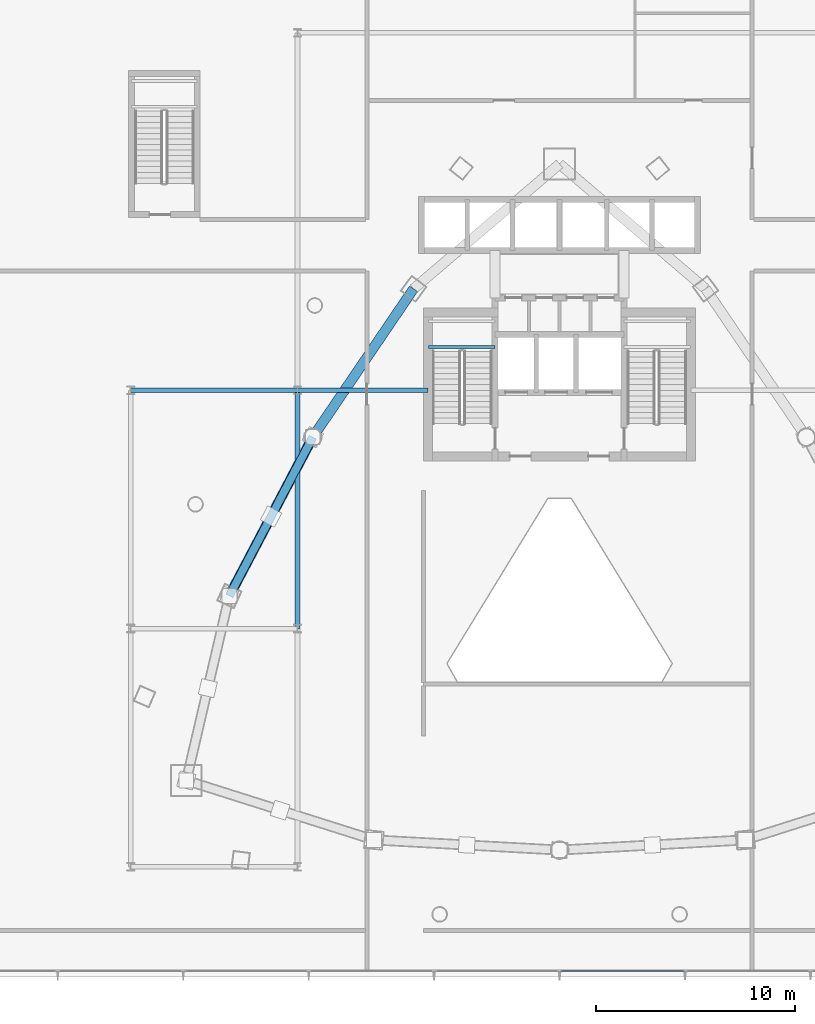
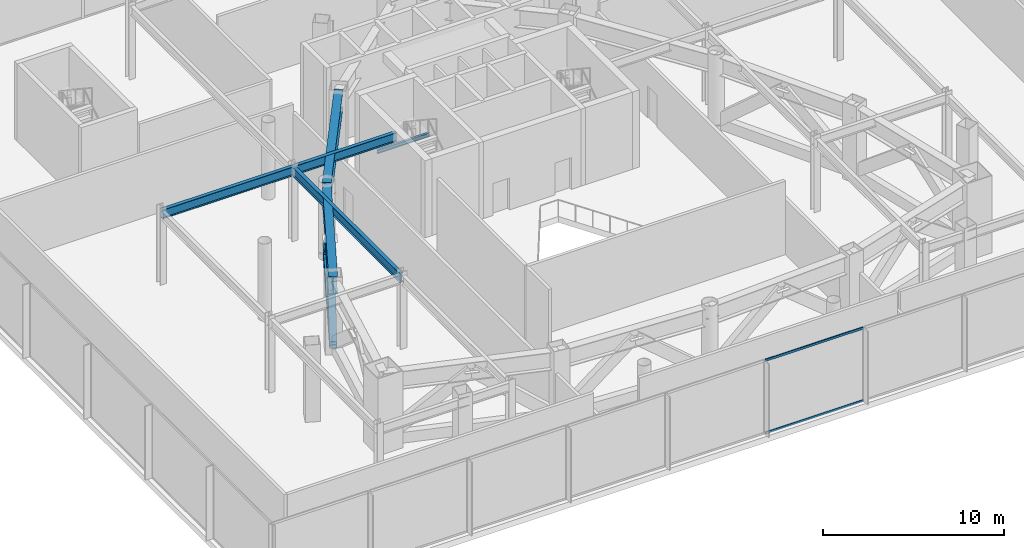
# One storey, part 11 of 43: 6 beams, 5 members, 1 element without a shape of its own.
"""IFC4 building model written with IfcOpenShell, lengths in metres."""

import ifcopenshell
import ifcopenshell.guid

model = None  # the IFC model being written
_history = None  # IfcOwnerHistory: only IFC2X3 demands one
_inside = {}  # id of a spatial element -> (the spatial element, [elements in it])
_under = {}  # id of a project, library or spatial element -> (it, [spatial elements below it])
_declared = {}  # id of a project -> (the project, [libraries it declares])
_typed = {}  # id of a type object -> (the type object, [elements of that type])
_made_of = {}  # id of a material, layer set ... -> (it, [elements and type objects made of it])


def new_model(schema):
    """Start an empty IFC model of exactly this schema.

    Asked for "IFC4X3", IfcOpenShell would pick the latest addendum, in which some entities
    have other attributes; the version numbers below select the first issue.
    IFC2X3 requires an IfcOwnerHistory on every rooted entity: one is made here for all.
    """
    global model, _history
    if schema == "IFC4X3":
        model = ifcopenshell.file(schema_version=(4, 3, 0, 0))
    else:
        model = ifcopenshell.file(schema=schema)
    _inside.clear()
    _under.clear()
    _declared.clear()
    _typed.clear()
    _made_of.clear()
    _history = None
    if model.schema == "IFC2X3":
        org = make("IfcOrganization", Name="unknown")
        user = make(
            "IfcPersonAndOrganization",
            ThePerson=make("IfcPerson", FamilyName="unknown"),
            TheOrganization=org,
        )
        app = make(
            "IfcApplication",
            ApplicationDeveloper=org,
            Version="unknown",
            ApplicationFullName="unknown",
            ApplicationIdentifier="unknown",
        )
        _history = make(
            "IfcOwnerHistory",
            OwningUser=user,
            OwningApplication=app,
            ChangeAction="ADDED",
            CreationDate=0,
        )
    return model


def make(cls, **values):
    """One entity of the class cls with the attributes given. An attribute that is None is left unset."""
    return model.create_entity(
        cls, **{name: value for name, value in values.items() if value is not None}
    )


def rooted(cls, **values):
    """An entity with a GlobalId (a new one), such as an element, a storey or a relation."""
    return make(cls, GlobalId=ifcopenshell.guid.new(), OwnerHistory=_history, **values)


def si_unit(unit_type, name, prefix=None):
    """IfcSIUnit, for example si_unit("LENGTHUNIT", "METRE", prefix="MILLI")."""
    return make("IfcSIUnit", UnitType=unit_type, Prefix=prefix, Name=name)


def assignment(units):
    """IfcUnitAssignment: the units of a project."""
    return None if units is None else make("IfcUnitAssignment", Units=units)


def point(xyz):
    """IfcCartesianPoint."""
    return None if xyz is None else make("IfcCartesianPoint", Coordinates=xyz)


def direction(xyz):
    """IfcDirection."""
    return None if xyz is None else make("IfcDirection", DirectionRatios=xyz)


def frame(location, z_axis=None, x_axis=None):
    """IfcAxis2Placement3D, a coordinate frame: its origin and axes. An axis left out is left unset."""
    return make(
        "IfcAxis2Placement3D",
        Location=point(location),
        Axis=direction(z_axis),
        RefDirection=direction(x_axis),
    )


def frame_2d(location, x_axis=None):
    """IfcAxis2Placement2D, a coordinate frame in the plane: its origin and x axis."""
    return make(
        "IfcAxis2Placement2D", Location=point(location), RefDirection=direction(x_axis)
    )


def origin():
    """The frame at (0, 0, 0) with its axes left unset."""
    return frame((0.0, 0.0, 0.0))


def origin_2d():
    """The frame at (0, 0) in the plane with its x axis left unset."""
    return frame_2d((0.0, 0.0))


def place(relative_to, where):
    """IfcLocalPlacement: puts the frame where relative to a parent placement (None: the world)."""
    return make(
        "IfcLocalPlacement", PlacementRelTo=relative_to, RelativePlacement=where
    )


def context(
    kind, dimensions, precision=None, world=None, true_north=None, identifier=None
):
    """IfcGeometricRepresentationContext, for example the 3D "Model" context."""
    return make(
        "IfcGeometricRepresentationContext",
        ContextIdentifier=identifier,
        ContextType=kind,
        CoordinateSpaceDimension=dimensions,
        Precision=precision,
        WorldCoordinateSystem=world,
        TrueNorth=true_north,
    )


def subcontext(parent, identifier, kind, view, scale=None):
    """IfcGeometricRepresentationSubContext, for example "Body" below "Model"."""
    return make(
        "IfcGeometricRepresentationSubContext",
        ContextIdentifier=identifier,
        ContextType=kind,
        ParentContext=parent,
        TargetScale=scale,
        TargetView=view,
    )


def project(units=None, contexts=None):
    """IfcProject with its units and contexts."""
    return rooted(
        "IfcProject",
        Name="project",
        RepresentationContexts=contexts,
        UnitsInContext=assignment(units),
    )


def spatial(cls, under=None, at=None, **own):
    """A site, building, storey or space (cls), placed at a placement, below another one or the project."""
    s = rooted(cls, ObjectPlacement=at, **own)
    if under is not None:
        _under.setdefault(under.id(), (under, []))[1].append(s)
    return s


def profile(cls, at=None, kind="AREA", **sizes):
    """A parametric profile (cls). Its sizes go by their IFC names, for example OverallWidth=200.0."""
    return make(cls, ProfileType=kind, Position=at, **sizes)


def hollow_rectangle(**sizes):
    """IfcRectangleHollowProfileDef."""
    return profile("IfcRectangleHollowProfileDef", **sizes)


def i_section(**sizes):
    """IfcIShapeProfileDef."""
    return profile("IfcIShapeProfileDef", **sizes)


def extrude(swept, where, along, depth):
    """IfcExtrudedAreaSolid: the profile swept, set in the frame where, extruded along a direction by depth."""
    return make(
        "IfcExtrudedAreaSolid",
        SweptArea=swept,
        Position=where,
        ExtrudedDirection=direction(along),
        Depth=depth,
    )


def shape(context_of_items, identifier, shape_type, items):
    """IfcShapeRepresentation: the items that make up one representation, for example the "Body"."""
    return make(
        "IfcShapeRepresentation",
        ContextOfItems=context_of_items,
        RepresentationIdentifier=identifier,
        RepresentationType=shape_type,
        Items=items,
    )


def material(Name=None, Category=None):
    """IfcMaterial."""
    return make("IfcMaterial", Name=Name, Category=Category)


def layer(
    of_material, thickness, ventilated=None, Name=None, Category=None, Priority=None
):
    """IfcMaterialLayer: one layer of a wall or slab, of a material (None: an air gap)."""
    return make(
        "IfcMaterialLayer",
        Material=of_material,
        LayerThickness=thickness,
        IsVentilated=ventilated,
        Name=Name,
        Category=Category,
        Priority=Priority,
    )


def layer_set(layers, Name=None):
    """IfcMaterialLayerSet."""
    return make("IfcMaterialLayerSet", MaterialLayers=layers, LayerSetName=Name)


def material_profile(
    of_material, cross_section, Name=None, Category=None, Priority=None
):
    """IfcMaterialProfile: a cross section and its material."""
    return make(
        "IfcMaterialProfile",
        Name=Name,
        Material=of_material,
        Profile=cross_section,
        Priority=Priority,
        Category=Category,
    )


def profile_set(profiles, Name=None, composite=None):
    """IfcMaterialProfileSet."""
    return make(
        "IfcMaterialProfileSet",
        Name=Name,
        MaterialProfiles=profiles,
        CompositeProfile=composite,
    )


def made_of(thing, what):
    """Note that an element or type object is made of a material, layer set ...; save() writes the relation."""
    if what is not None:
        _made_of.setdefault(what.id(), (what, []))[1].append(thing)
    return thing


def type_object(cls, material=None, **own):
    """A type object (cls), such as IfcWallType, which elements share."""
    return made_of(rooted(cls, **own), material)


def element(
    cls,
    number,
    at=None,
    inside=None,
    cuts=None,
    type_object=None,
    material=None,
    context=None,
    identifier="Body",
    shape_type=None,
    held_by="IfcProductDefinitionShape",
    body=None,
    shapes=None,
    **own,
):
    """One element of the class cls, such as IfcWall. Its Tag is "e" and its number.

    at: its placement. inside: the storey or other place that contains it. cuts: it is an
    opening in that element (IfcRelVoidsElement). A single representation is given by context,
    identifier, shape_type and body (its items); several are given by shapes. held_by: the class
    of the entity that holds the representations. save() writes the other relations.
    """
    e = rooted(cls, Tag="e%d" % number, ObjectPlacement=at, **own)
    if body is not None:
        shapes = [shape(context, identifier, shape_type, body)]
    if shapes is not None:
        e.Representation = make(held_by, Representations=shapes)
    if inside is not None:
        _inside.setdefault(inside.id(), (inside, []))[1].append(e)
    if cuts is not None:
        rooted(
            "IfcRelVoidsElement", RelatingBuildingElement=cuts, RelatedOpeningElement=e
        )
    if type_object is not None:
        _typed.setdefault(type_object.id(), (type_object, []))[1].append(e)
    return made_of(e, material)


def aggregate(whole, parts):
    """IfcRelAggregates: a whole, such as a stair, and the parts it consists of."""
    return rooted("IfcRelAggregates", RelatingObject=whole, RelatedObjects=parts)


def save(model, path):
    """Write the relations noted so far, then the file.

    IfcRelAggregates (storeys below a building ...), IfcRelContainedInSpatialStructure (elements
    in a storey), IfcRelDefinesByType, IfcRelAssociatesMaterial and IfcRelDeclares: one each for
    every whole, place, type object, material and project.
    """
    for whole, parts in _under.values():
        aggregate(whole, parts)
    for where, things in _inside.values():
        rooted(
            "IfcRelContainedInSpatialStructure",
            RelatedElements=things,
            RelatingStructure=where,
        )
    for kind, things in _typed.values():
        rooted("IfcRelDefinesByType", RelatedObjects=things, RelatingType=kind)
    for what, things in _made_of.values():
        rooted("IfcRelAssociatesMaterial", RelatedObjects=things, RelatingMaterial=what)
    for by, libraries in _declared.values():
        rooted("IfcRelDeclares", RelatingContext=by, RelatedDefinitions=libraries)
    model.write(path)


model = new_model("IFC4")

# Units and contexts
model_context = context("Model", 3, precision=1e-05, world=origin(), true_north=direction((0.0, 1.0)))
body_context = subcontext(model_context, "Body", "Model", "MODEL_VIEW")
ifc_project = project(units=[si_unit("LENGTHUNIT", "METRE"), si_unit("AREAUNIT", "SQUARE_METRE"), si_unit("VOLUMEUNIT", "CUBIC_METRE"), si_unit("PLANEANGLEUNIT", "RADIAN"), si_unit("MASSUNIT", "GRAM", prefix="KILO")], contexts=[model_context])

# Site, building, storey
site_placement = place(None, origin())
site = spatial("IfcSite", under=ifc_project, at=site_placement, CompositionType="ELEMENT")
building_placement = place(site_placement, origin())
building = spatial("IfcBuilding", under=site, at=building_placement, Name="Orvanel Arch Residences", CompositionType="ELEMENT")
storey_placement = place(building_placement, frame((0.0, 0.0, 18.39990234375)))
storey = spatial("IfcBuildingStorey", under=building, at=storey_placement, Name="L04", CompositionType="ELEMENT", Elevation=18.39990234375)

# Beams
ifc_material_1 = material(Name="Structural steel AS/NZS 3679.1 Grade 300 (300 MPa)", Category="steel")
ifc_material_profile_1 = material_profile(ifc_material_1, i_section(OverallWidth=0.22900390625, OverallDepth=0.612060546875, WebThickness=0.011962890625, FlangeThickness=0.01953125, at=origin_2d()), Name="610UB125")
ifc_profile_set_1 = profile_set([ifc_material_profile_1], Name="Structural steel AS/NZS 3679.1 Grade 300 (300 MPa)")
beam_type_1 = type_object("IfcBeamType", Name="BG-610UB", PredefinedType="BEAM", material=ifc_profile_set_1)
beam_1_placement = place(storey_placement, frame((11.39990234375, 30.0, 4.654052734375), z_axis=(1.0, 0.0, 0.0), x_axis=(0.0, 1.0, 0.0)))
element("IfcBeam", 1, at=beam_1_placement, inside=storey, type_object=beam_type_1, Name="L04 BG-610UB beam", PredefinedType="BEAM", context=body_context, shape_type="SweptSolid", body=[
    extrude(i_section(OverallWidth=0.22900390625, OverallDepth=0.612060546875, WebThickness=0.011962890625, FlangeThickness=0.01953125, at=origin_2d()), origin(), (0.0, 0.0, 1.0), 8.400146484375),
])
beam_2_placement = place(storey_placement, frame((19.800048828125, 30.0, 4.654052734375), z_axis=(1.0, 0.0, 0.0), x_axis=(0.0, 1.0, 0.0)))
element("IfcBeam", 2, at=beam_2_placement, inside=storey, type_object=beam_type_1, Name="L04 BG-610UB beam", PredefinedType="BEAM", context=body_context, shape_type="SweptSolid", body=[
    extrude(i_section(OverallWidth=0.22900390625, OverallDepth=0.612060546875, WebThickness=0.011962890625, FlangeThickness=0.01953125, at=origin_2d()), origin(), (0.0, 0.0, 1.0), 6.574951171875),
])
beam_3_placement = place(storey_placement, frame((19.800048828125, 18.0, 4.654052734375), z_axis=(0.0, 1.0, 0.0), x_axis=(-1.0, 0.0, 0.0)))
element("IfcBeam", 3, at=beam_3_placement, inside=storey, type_object=beam_type_1, Name="L04 North-South Podium Girder XW20-M", PredefinedType="BEAM", context=body_context, shape_type="SweptSolid", body=[
    extrude(i_section(OverallWidth=0.22900390625, OverallDepth=0.612060546875, WebThickness=0.011962890625, FlangeThickness=0.01953125, at=origin_2d()), origin(), (0.0, 0.0, 1.0), 12.0),
])
ifc_material_profile_2 = material_profile(ifc_material_1, i_section(OverallWidth=0.14599609375, OverallDepth=0.251953125, WebThickness=0.006103515625, FlangeThickness=0.008544921875, at=origin_2d()), Name="250UB31.4")
ifc_profile_set_2 = profile_set([ifc_material_profile_2], Name="Structural steel AS/NZS 3679.1 Grade 300 (300 MPa)")
beam_type_2 = type_object("IfcBeamType", Name="BJ-250UB", PredefinedType="JOIST", material=ifc_profile_set_2)
beam_4_placement = place(storey_placement, frame((26.39990234375, 32.179931640625, 2.274169921875), z_axis=(1.0, 0.0, 0.0), x_axis=(0.0, 1.0, 0.0)))
element("IfcBeam", 4, at=beam_4_placement, inside=storey, type_object=beam_type_2, Name="L04 ST-1 Half-Landing Support Beam 1.1", PredefinedType="JOIST", context=body_context, shape_type="SweptSolid", body=[
    extrude(i_section(OverallWidth=0.14599609375, OverallDepth=0.251953125, WebThickness=0.006103515625, FlangeThickness=0.008544921875, at=origin_2d()), origin(), (0.0, 0.0, 1.0), 3.35009765625),
])

# Members
ifc_material_2 = material(Name="Structural steel AS/NZS 3678 Grade 350", Category="steel")
ifc_material_profile_3 = material_profile(ifc_material_2, hollow_rectangle(XDim=0.419921875, YDim=0.719970703125, WallThickness=0.02490234375, at=origin_2d()), Name="RHS720x420x25")
ifc_profile_set_3 = profile_set([ifc_material_profile_3], Name="Structural steel AS/NZS 3678 Grade 350")
member_type_1 = type_object("IfcMemberType", Name="BR-720RHS", PredefinedType="BRACE", material=ifc_profile_set_3)
member_1_placement = place(storey_placement, frame((20.569091796875, 27.64111328125, 0.4501953125), z_axis=(-0.351676290996, -0.669353665641, 0.654438275656), x_axis=(0.885253281653, -0.465109263853, 0.0)))
element("IfcMember", 5, at=member_1_placement, inside=storey, type_object=member_type_1, Name="L04 Transfer Truss Chevron Web 11.1", PredefinedType="BRACE", context=body_context, shape_type="SweptSolid", body=[
    extrude(hollow_rectangle(XDim=0.419921875, YDim=0.719970703125, WallThickness=0.02490234375, at=origin_2d()), origin(), (0.0, 0.0, 1.0), 5.974365234375),
])
member_2_placement = place(storey_placement, frame((16.366943359375, 19.64208984375, 0.4501953125), z_axis=(0.351637815677, 0.669443873118, 0.654366676513), x_axis=(-0.885300033521, 0.465020269072, 0.0)))
element("IfcMember", 6, at=member_2_placement, inside=storey, type_object=member_type_1, Name="L04 Transfer Truss Chevron Web 11.2", PredefinedType="BRACE", context=body_context, shape_type="SweptSolid", body=[
    extrude(hollow_rectangle(XDim=0.419921875, YDim=0.719970703125, WallThickness=0.02490234375, at=origin_2d()), origin(), (0.0, 0.0, 1.0), 5.97509765625),
])
ifc_material_profile_4 = material_profile(ifc_material_2, hollow_rectangle(XDim=0.419921875, YDim=0.719970703125, WallThickness=0.02490234375, at=origin_2d()), Name="RHS720x420x25")
ifc_profile_set_4 = profile_set([ifc_material_profile_4], Name="Structural steel AS/NZS 3678 Grade 350")
member_type_2 = type_object("IfcMemberType", Name="CH-720RHS", PredefinedType="CHORD", material=ifc_profile_set_4)
member_3_placement = place(storey_placement, frame((20.569091796875, 27.64111328125, 0.4501953125), z_axis=(-0.465064762793, -0.885276660942, 0.0), x_axis=(0.885276660942, -0.465064762793, 0.0)))
element("IfcMember", 7, at=member_3_placement, inside=storey, type_object=member_type_2, Name="L04 Transfer Truss Bottom Chord 11", PredefinedType="CHORD", context=body_context, shape_type="SweptSolid", body=[
    extrude(hollow_rectangle(XDim=0.419921875, YDim=0.719970703125, WallThickness=0.02490234375, at=origin_2d()), origin(), (0.0, 0.0, 1.0), 9.03564453125),
])

# Beams
ifc_material_profile_5 = material_profile(ifc_material_2, i_section(OverallWidth=0.5, OverallDepth=1.199951171875, WebThickness=0.02001953125, FlangeThickness=0.035888671875, at=origin_2d()), Name="1200WB455")
ifc_profile_set_5 = profile_set([ifc_material_profile_5], Name="Structural steel AS/NZS 3678 Grade 350")
beam_type_3 = type_object("IfcBeamType", Name="TG-1200WB", PredefinedType="USERDEFINED", material=ifc_profile_set_5)
beam_5_placement = place(storey_placement, frame((25.64794921875, 35.113037109375, 4.360107421875), z_axis=(-0.562154793153, -0.827032035978, 0.0), x_axis=(0.827032035978, -0.562154793153, 0.0)))
element("IfcBeam", 8, at=beam_5_placement, inside=storey, type_object=beam_type_3, Name="L04 Podium Transfer Belt Girder 10", ObjectType="TRANSFER GIRDER", PredefinedType="USERDEFINED", context=body_context, shape_type="SweptSolid", body=[
    extrude(i_section(OverallWidth=0.5, OverallDepth=1.199951171875, WebThickness=0.02001953125, FlangeThickness=0.035888671875, at=origin_2d()), origin(), (0.0, 0.0, 1.0), 9.03466796875),
])
beam_6_placement = place(storey_placement, frame((20.569091796875, 27.64111328125, 4.360107421875), z_axis=(-0.465064762793, -0.885276660942, 0.0), x_axis=(0.885276660942, -0.465064762793, 0.0)))
element("IfcBeam", 9, at=beam_6_placement, inside=storey, type_object=beam_type_3, Name="L04 Podium Transfer Belt Girder 11", ObjectType="TRANSFER GIRDER", PredefinedType="USERDEFINED", context=body_context, shape_type="SweptSolid", body=[
    extrude(i_section(OverallWidth=0.5, OverallDepth=1.199951171875, WebThickness=0.02001953125, FlangeThickness=0.035888671875, at=origin_2d()), origin(), (0.0, 0.0, 1.0), 9.03564453125),
])

# Curtain wall, members
ifc_material_3 = material(Name="Bronze-anodised aluminium AA6063-T6", Category="aluminium")
ifc_layer = layer(ifc_material_3, 0.199951171875)
ifc_layer_set = layer_set([ifc_layer], Name="Bronze-anodised aluminium AA6063-T6")
curtain_wall_type = type_object("IfcCurtainWallType", Name="CW1-POD-SYS", PredefinedType="NOTDEFINED", material=ifc_layer_set)
curtain_wall_placement = place(storey_placement, origin())
curtain_wall = element("IfcCurtainWall", 10, at=curtain_wall_placement, inside=storey, type_object=curtain_wall_type, Name="L04 CW1-POD-SYS Unitised Curtain Wall", PredefinedType="NOTDEFINED")
ifc_material_profile_6 = material_profile(ifc_material_3, hollow_rectangle(XDim=0.06494140625, YDim=0.14990234375, WallThickness=0.00390625, at=origin_2d()), Name="ALU150x65x4")
ifc_profile_set_6 = profile_set([ifc_material_profile_6], Name="Bronze-anodised aluminium AA6063-T6")
member_type_3 = type_object("IfcMemberType", Name="TRN-150x65", PredefinedType="USERDEFINED", material=ifc_profile_set_6)
member_4_placement = place(storey_placement, frame((33.03759765625, 0.75, 0.03271484375), z_axis=(1.0, 0.0, 0.0), x_axis=(0.0, 1.0, 0.0)))
member_4 = element("IfcMember", 11, at=member_4_placement, type_object=member_type_3, Name="CW-S1 transom 6.1", ObjectType="TRANSOM", PredefinedType="USERDEFINED", context=body_context, shape_type="SweptSolid", body=[
    extrude(hollow_rectangle(XDim=0.06494140625, YDim=0.14990234375, WallThickness=0.00390625, at=origin_2d()), origin(), (0.0, 0.0, 1.0), 6.242919921875),
])
member_5_placement = place(storey_placement, frame((33.03759765625, 0.75, 4.927490234375), z_axis=(1.0, 0.0, 0.0), x_axis=(0.0, 1.0, 0.0)))
member_5 = element("IfcMember", 12, at=member_5_placement, type_object=member_type_3, Name="CW-S1 transom 6.2", ObjectType="TRANSOM", PredefinedType="USERDEFINED", context=body_context, shape_type="SweptSolid", body=[
    extrude(hollow_rectangle(XDim=0.06494140625, YDim=0.14990234375, WallThickness=0.00390625, at=origin_2d()), origin(), (0.0, 0.0, 1.0), 6.242919921875),
])
aggregate(curtain_wall, [member_4, member_5])

save(model, "model.ifc")
